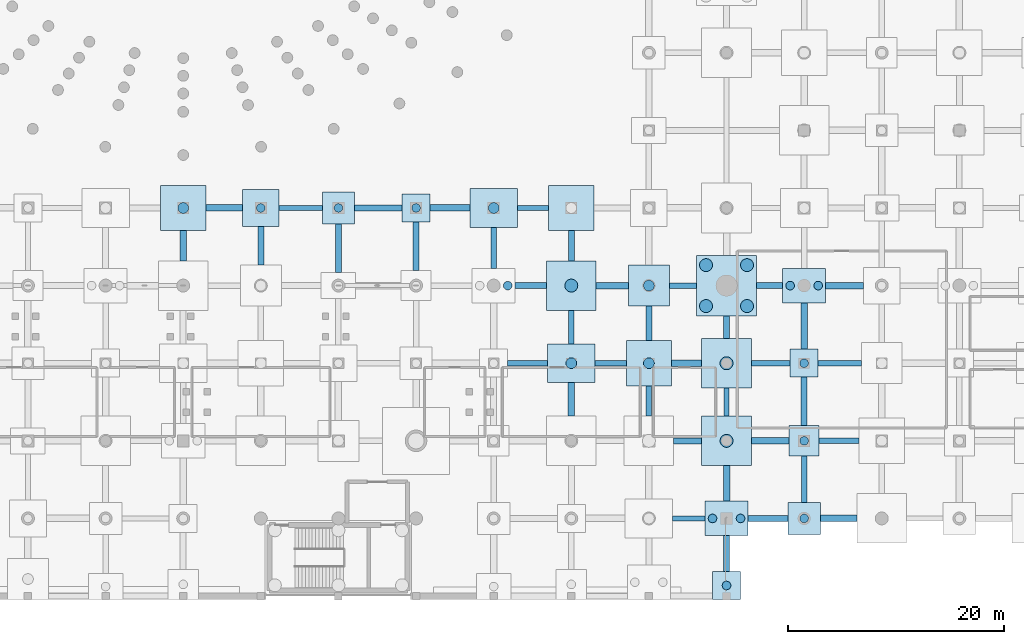
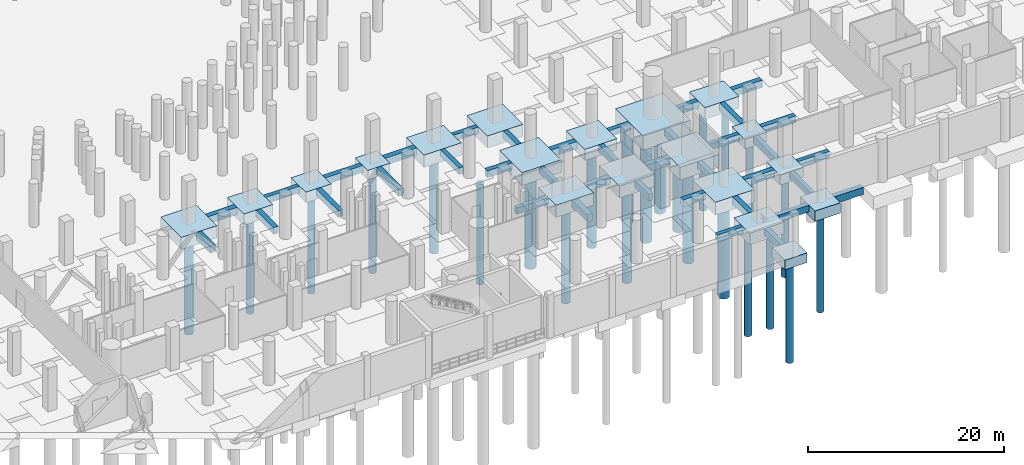
# One storey, part 5 of 37: 57 footings, 24 piles.
"""IFC4 building model written with IfcOpenShell, lengths in metres."""

from ifc_helpers import new_model, si_unit, direction, frame, origin, origin_2d, place, context, subcontext, project, spatial, rectangle, circle, extrude, material, material_profile, profile_set, type_object, element, save


model = new_model("IFC4")

# Units and contexts
model_context = context("Model", 3, precision=1e-05, world=origin(), true_north=direction((0.0, 1.0)))
body_context = subcontext(model_context, "Body", "Model", "MODEL_VIEW")
ifc_project = project(units=[si_unit("LENGTHUNIT", "METRE"), si_unit("AREAUNIT", "SQUARE_METRE"), si_unit("VOLUMEUNIT", "CUBIC_METRE"), si_unit("PLANEANGLEUNIT", "RADIAN"), si_unit("MASSUNIT", "GRAM", prefix="KILO")], contexts=[model_context])

# Site, building, storey
site_placement = place(None, origin())
site = spatial("IfcSite", under=ifc_project, at=site_placement, CompositionType="ELEMENT")
building_placement = place(site_placement, origin())
building = spatial("IfcBuilding", under=site, at=building_placement, Name="Qandorah Velis Arena", CompositionType="ELEMENT")
storey_placement = place(building_placement, frame((0.0, 0.0, -5.39990234375)))
storey = spatial("IfcBuildingStorey", under=building, at=storey_placement, Name="B1", CompositionType="ELEMENT", Elevation=-5.39990234375)

# Footings
ifc_material = material(Name="Concrete C40/50", Category="concrete")
footing_type_1 = type_object("IfcFootingType", Name="STR-CAP-PC10", PredefinedType="PILE_CAP", material=ifc_material)
for number, where, z_axis, x_axis, name in (
    (1, (86.39990234375, 36.0, -1.2001953125), (0.0, 0.0, 1.0), (1.0, 0.0, 0.0), "Pile cap CAP-B1-177"),
    (2, (115.199951171875, 0.97998046875, -1.2001953125), (0.0, 0.0, 1.0), (1.0, 0.0, 0.0), "Pile cap CAP-B1-227"),
    (3, (122.39990234375, 21.60009765625, -1.2001953125), (0.0, 0.0, 1.0), (1.0, 0.0, 0.0), "Pile cap CAP-B1-247"),
):
    element("IfcFooting", number, at=place(storey_placement, frame(where, z_axis=z_axis, x_axis=x_axis)), inside=storey, type_object=footing_type_1, Name=name, PredefinedType="PILE_CAP", context=body_context, shape_type="SweptSolid", body=[
        extrude(rectangle(XDim=2.60009765625, YDim=2.60009765625, at=origin_2d()), origin(), (0.0, 0.0, 1.0), 1.199951171875),
    ])
footing_type_2 = type_object("IfcFootingType", Name="STR-CAP-PC14", PredefinedType="PILE_CAP", material=ifc_material)
for number, where, z_axis, x_axis, name in (
    (4, (115.199951171875, 7.199951171875, -1.4501953125), (0.0, 0.0, 1.0), (1.0, 0.0, 0.0), "Pile cap CAP-B1-228"),
    (5, (122.39990234375, 28.800048828125, -1.4501953125), (0.0, 0.0, 1.0), (1.0, 0.0, 0.0), "Pile cap CAP-B1-248"),
):
    element("IfcFooting", number, at=place(storey_placement, frame(where, z_axis=z_axis, x_axis=x_axis)), inside=storey, type_object=footing_type_2, Name=name, PredefinedType="PILE_CAP", context=body_context, shape_type="SweptSolid", body=[
        extrude(rectangle(XDim=4.0, YDim=3.199951171875, at=origin_2d()), origin(), (0.0, 0.0, 1.0), 1.449951171875),
    ])
footing_type_3 = type_object("IfcFootingType", Name="STR-CAP-PC15", PredefinedType="PILE_CAP", material=ifc_material)
for number, where, z_axis, x_axis, name in (
    (6, (93.60009765625, 36.0, -1.55029296875), (0.0, 0.0, 1.0), (1.0, 0.0, 0.0), "Pile cap CAP-B1-189"),
    (7, (100.800048828125, 21.60009765625, -1.55029296875), (0.0, 0.0, 1.0), (1.0, 0.0, 0.0), "Pile cap CAP-B1-199"),
):
    element("IfcFooting", number, at=place(storey_placement, frame(where, z_axis=z_axis, x_axis=x_axis)), inside=storey, type_object=footing_type_3, Name=name, PredefinedType="PILE_CAP", context=body_context, shape_type="SweptSolid", body=[
        extrude(rectangle(XDim=4.39990234375, YDim=3.60009765625, at=origin_2d()), origin(), (0.0, 0.0, 1.0), 1.550048828125),
    ])
footing_type_4 = type_object("IfcFootingType", Name="STR-CAP-PC2", PredefinedType="PILE_CAP", material=ifc_material)
footing_1_placement = place(storey_placement, frame((115.199951171875, 28.800048828125, -1.80029296875), z_axis=(0.0, 0.0, 1.0), x_axis=(1.0, 0.0, 0.0)))
element("IfcFooting", 8, at=footing_1_placement, inside=storey, type_object=footing_type_4, Name="Pile cap CAP-B1-231", PredefinedType="PILE_CAP", context=body_context, shape_type="SweptSolid", body=[
    extrude(rectangle(XDim=5.60009765625, YDim=5.60009765625, at=origin_2d()), origin(), (0.0, 0.0, 1.0), 1.800048828125),
])
footing_type_5 = type_object("IfcFootingType", Name="STR-CAP-PC3", PredefinedType="PILE_CAP", material=ifc_material)
for number, where, z_axis, x_axis, name in (
    (9, (100.800048828125, 28.800048828125, -1.60009765625), (0.0, 0.0, 1.0), (1.0, 0.0, 0.0), "Pile cap CAP-B1-200"),
    (10, (115.199951171875, 14.39990234375, -1.60009765625), (0.0, 0.0, 1.0), (1.0, 0.0, 0.0), "Pile cap CAP-B1-229"),
    (11, (115.199951171875, 21.60009765625, -1.60009765625), (0.0, 0.0, 1.0), (1.0, 0.0, 0.0), "Pile cap CAP-B1-230"),
):
    element("IfcFooting", number, at=place(storey_placement, frame(where, z_axis=z_axis, x_axis=x_axis)), inside=storey, type_object=footing_type_5, Name=name, PredefinedType="PILE_CAP", context=body_context, shape_type="SweptSolid", body=[
        extrude(rectangle(XDim=4.60009765625, YDim=4.60009765625, at=origin_2d()), origin(), (0.0, 0.0, 1.0), 1.60009765625),
    ])
footing_type_6 = type_object("IfcFootingType", Name="STR-CAP-PC4", PredefinedType="PILE_CAP", material=ifc_material)
for number, where, z_axis, x_axis, name in (
    (12, (64.800048828125, 36.0, -1.5), (0.0, 0.0, 1.0), (1.0, 0.0, 0.0), "Pile cap CAP-B1-141"),
    (13, (100.800048828125, 36.0, -1.5), (0.0, 0.0, 1.0), (1.0, 0.0, 0.0), "Pile cap CAP-B1-201"),
    (14, (108.0, 21.60009765625, -1.5), (0.0, 0.0, 1.0), (1.0, 0.0, 0.0), "Pile cap CAP-B1-211"),
):
    element("IfcFooting", number, at=place(storey_placement, frame(where, z_axis=z_axis, x_axis=x_axis)), inside=storey, type_object=footing_type_6, Name=name, PredefinedType="PILE_CAP", context=body_context, shape_type="SweptSolid", body=[
        extrude(rectangle(XDim=4.199951171875, YDim=4.199951171875, at=origin_2d()), origin(), (0.0, 0.0, 1.0), 1.5),
    ])
footing_type_7 = type_object("IfcFootingType", Name="STR-CAP-PC5", PredefinedType="PILE_CAP", material=ifc_material)
footing_2_placement = place(storey_placement, frame((108.0, 28.800048828125, -1.400146484375), z_axis=(0.0, 0.0, 1.0), x_axis=(1.0, 0.0, 0.0)))
element("IfcFooting", 15, at=footing_2_placement, inside=storey, type_object=footing_type_7, Name="Pile cap CAP-B1-212", PredefinedType="PILE_CAP", context=body_context, shape_type="SweptSolid", body=[
    extrude(rectangle(XDim=3.800048828125, YDim=3.800048828125, at=origin_2d()), origin(), (0.0, 0.0, 1.0), 1.39990234375),
])
footing_type_8 = type_object("IfcFootingType", Name="STR-CAP-PC6", PredefinedType="PILE_CAP", material=ifc_material)
footing_3_placement = place(storey_placement, frame((72.0, 36.0, -1.400146484375), z_axis=(0.0, 0.0, 1.0), x_axis=(1.0, 0.0, 0.0)))
element("IfcFooting", 16, at=footing_3_placement, inside=storey, type_object=footing_type_8, Name="Pile cap CAP-B1-153", PredefinedType="PILE_CAP", context=body_context, shape_type="SweptSolid", body=[
    extrude(rectangle(XDim=3.39990234375, YDim=3.39990234375, at=origin_2d()), origin(), (0.0, 0.0, 1.0), 1.39990234375),
])
footing_type_9 = type_object("IfcFootingType", Name="STR-CAP-PC8", PredefinedType="PILE_CAP", material=ifc_material)
for number, where, z_axis, x_axis, name in (
    (17, (79.199951171875, 36.0, -1.30029296875), (0.0, 0.0, 1.0), (1.0, 0.0, 0.0), "Pile cap CAP-B1-165"),
    (18, (122.39990234375, 7.199951171875, -1.30029296875), (0.0, 0.0, 1.0), (1.0, 0.0, 0.0), "Pile cap CAP-B1-245"),
):
    element("IfcFooting", number, at=place(storey_placement, frame(where, z_axis=z_axis, x_axis=x_axis)), inside=storey, type_object=footing_type_9, Name=name, PredefinedType="PILE_CAP", context=body_context, shape_type="SweptSolid", body=[
        extrude(rectangle(XDim=3.0, YDim=3.0, at=origin_2d()), origin(), (0.0, 0.0, 1.0), 1.300048828125),
    ])
footing_type_10 = type_object("IfcFootingType", Name="STR-CAP-PC9", PredefinedType="PILE_CAP", material=ifc_material)
footing_4_placement = place(storey_placement, frame((122.39990234375, 14.39990234375, -1.25), z_axis=(0.0, 0.0, 1.0), x_axis=(1.0, 0.0, 0.0)))
element("IfcFooting", 19, at=footing_4_placement, inside=storey, type_object=footing_type_10, Name="Pile cap CAP-B1-246", PredefinedType="PILE_CAP", context=body_context, shape_type="SweptSolid", body=[
    extrude(rectangle(XDim=2.800048828125, YDim=2.800048828125, at=origin_2d()), origin(), (0.0, 0.0, 1.0), 1.25),
])
ifc_material_profile_1 = material_profile(ifc_material, rectangle(XDim=0.60009765625, YDim=0.89990234375, at=origin_2d()), Name="GB1 600x900")
ifc_profile_set_1 = profile_set([ifc_material_profile_1], Name="Concrete C40/50")
footing_type_11 = type_object("IfcFootingType", Name="STR-GB-FB1", PredefinedType="FOOTING_BEAM", material=ifc_profile_set_1)
footing_5_placement = place(storey_placement, frame((64.800048828125, 31.10009765625, -0.4501953125), z_axis=(0.0, 1.0, 0.0), x_axis=(-1.0, 0.0, 0.0)))
element("IfcFooting", 20, at=footing_5_placement, inside=storey, type_object=footing_type_11, Name="Ground tie beam GB-099", PredefinedType="FOOTING_BEAM", context=body_context, shape_type="SweptSolid", body=[
    extrude(rectangle(XDim=0.60009765625, YDim=0.89990234375, at=origin_2d()), origin(), (0.0, 0.0, 1.0), 2.7998046875),
])
footing_6_placement = place(storey_placement, frame((100.800048828125, 16.699951171875, -0.4501953125), z_axis=(0.0, 1.0, 0.0), x_axis=(-1.0, 0.0, 0.0)))
element("IfcFooting", 21, at=footing_6_placement, inside=storey, type_object=footing_type_11, Name="Ground tie beam GB-135", PredefinedType="FOOTING_BEAM", context=body_context, shape_type="SweptSolid", body=[
    extrude(rectangle(XDim=0.60009765625, YDim=0.89990234375, at=origin_2d()), origin(), (0.0, 0.0, 1.0), 3.10009765625),
])
footing_7_placement = place(storey_placement, frame((115.199951171875, 8.800048828125, -0.4501953125), z_axis=(0.0, 1.0, 0.0), x_axis=(-1.0, 0.0, 0.0)))
element("IfcFooting", 22, at=footing_7_placement, inside=storey, type_object=footing_type_11, Name="Ground tie beam GB-162", PredefinedType="FOOTING_BEAM", context=body_context, shape_type="SweptSolid", body=[
    extrude(rectangle(XDim=0.60009765625, YDim=0.89990234375, at=origin_2d()), origin(), (0.0, 0.0, 1.0), 3.300048828125),
])
footing_8_placement = place(storey_placement, frame((122.39990234375, 22.89990234375, -0.4501953125), z_axis=(0.0, 1.0, 0.0), x_axis=(-1.0, 0.0, 0.0)))
element("IfcFooting", 23, at=footing_8_placement, inside=storey, type_object=footing_type_11, Name="Ground tie beam GB-180", PredefinedType="FOOTING_BEAM", context=body_context, shape_type="SweptSolid", body=[
    extrude(rectangle(XDim=0.60009765625, YDim=0.89990234375, at=origin_2d()), origin(), (0.0, 0.0, 1.0), 4.300048828125),
])
footing_9_placement = place(storey_placement, frame((123.89990234375, 7.199951171875, -0.4501953125), z_axis=(1.0, 0.0, 0.0), x_axis=(0.0, 1.0, 0.0)))
element("IfcFooting", 24, at=footing_9_placement, inside=storey, type_object=footing_type_11, Name="Ground tie beam GB-288", PredefinedType="FOOTING_BEAM", context=body_context, shape_type="SweptSolid", body=[
    extrude(rectangle(XDim=0.60009765625, YDim=0.89990234375, at=origin_2d()), origin(), (0.0, 0.0, 1.0), 3.400146484375),
])
footing_10_placement = place(storey_placement, frame((117.5, 14.39990234375, -0.4501953125), z_axis=(1.0, 0.0, 0.0), x_axis=(0.0, 1.0, 0.0)))
element("IfcFooting", 25, at=footing_10_placement, inside=storey, type_object=footing_type_11, Name="Ground tie beam GB-309", PredefinedType="FOOTING_BEAM", context=body_context, shape_type="SweptSolid", body=[
    extrude(rectangle(XDim=0.60009765625, YDim=0.89990234375, at=origin_2d()), origin(), (0.0, 0.0, 1.0), 3.5),
])
footing_11_placement = place(storey_placement, frame((110.10009765625, 21.60009765625, -0.4501953125), z_axis=(1.0, 0.0, 0.0), x_axis=(0.0, 1.0, 0.0)))
element("IfcFooting", 26, at=footing_11_placement, inside=storey, type_object=footing_type_11, Name="Ground tie beam GB-330", PredefinedType="FOOTING_BEAM", context=body_context, shape_type="SweptSolid", body=[
    extrude(rectangle(XDim=0.60009765625, YDim=0.89990234375, at=origin_2d()), origin(), (0.0, 0.0, 1.0), 2.7998046875),
])
footing_12_placement = place(storey_placement, frame((103.10009765625, 28.800048828125, -0.4501953125), z_axis=(1.0, 0.0, 0.0), x_axis=(0.0, 1.0, 0.0)))
element("IfcFooting", 27, at=footing_12_placement, inside=storey, type_object=footing_type_11, Name="Ground tie beam GB-351", PredefinedType="FOOTING_BEAM", context=body_context, shape_type="SweptSolid", body=[
    extrude(rectangle(XDim=0.60009765625, YDim=0.89990234375, at=origin_2d()), origin(), (0.0, 0.0, 1.0), 3.0),
])
footing_13_placement = place(storey_placement, frame((124.39990234375, 28.800048828125, -0.4501953125), z_axis=(1.0, 0.0, 0.0), x_axis=(0.0, 1.0, 0.0)))
element("IfcFooting", 28, at=footing_13_placement, inside=storey, type_object=footing_type_11, Name="Ground tie beam GB-354", PredefinedType="FOOTING_BEAM", context=body_context, shape_type="SweptSolid", body=[
    extrude(rectangle(XDim=0.60009765625, YDim=0.89990234375, at=origin_2d()), origin(), (0.0, 0.0, 1.0), 3.5),
])
footing_14_placement = place(storey_placement, frame((66.89990234375, 36.0, -0.4501953125), z_axis=(1.0, 0.0, 0.0), x_axis=(0.0, 1.0, 0.0)))
element("IfcFooting", 29, at=footing_14_placement, inside=storey, type_object=footing_type_11, Name="Ground tie beam GB-366", PredefinedType="FOOTING_BEAM", context=body_context, shape_type="SweptSolid", body=[
    extrude(rectangle(XDim=0.60009765625, YDim=0.89990234375, at=origin_2d()), origin(), (0.0, 0.0, 1.0), 3.400146484375),
])
footing_15_placement = place(storey_placement, frame((87.699951171875, 36.0, -0.4501953125), z_axis=(1.0, 0.0, 0.0), x_axis=(0.0, 1.0, 0.0)))
element("IfcFooting", 30, at=footing_15_placement, inside=storey, type_object=footing_type_11, Name="Ground tie beam GB-369", PredefinedType="FOOTING_BEAM", context=body_context, shape_type="SweptSolid", body=[
    extrude(rectangle(XDim=0.60009765625, YDim=0.89990234375, at=origin_2d()), origin(), (0.0, 0.0, 1.0), 3.699951171875),
])
ifc_material_profile_2 = material_profile(ifc_material, rectangle(XDim=0.5, YDim=0.800048828125, at=origin_2d()), Name="GB2 500x800")
ifc_profile_set_2 = profile_set([ifc_material_profile_2], Name="Concrete C40/50")
footing_type_12 = type_object("IfcFootingType", Name="STR-GB-FB2", PredefinedType="FOOTING_BEAM", material=ifc_profile_set_2)
footing_16_placement = place(storey_placement, frame((93.60009765625, 30.39990234375, -0.400146484375), z_axis=(0.0, 1.0, 0.0), x_axis=(-1.0, 0.0, 0.0)))
element("IfcFooting", 31, at=footing_16_placement, inside=storey, type_object=footing_type_12, Name="Ground tie beam GB-127", PredefinedType="FOOTING_BEAM", context=body_context, shape_type="SweptSolid", body=[
    extrude(rectangle(XDim=0.5, YDim=0.800048828125, at=origin_2d()), origin(), (0.0, 0.0, 1.0), 3.800048828125),
])
footing_17_placement = place(storey_placement, frame((100.800048828125, 23.39990234375, -0.400146484375), z_axis=(0.0, 1.0, 0.0), x_axis=(-1.0, 0.0, 0.0)))
element("IfcFooting", 32, at=footing_17_placement, inside=storey, type_object=footing_type_12, Name="Ground tie beam GB-136", PredefinedType="FOOTING_BEAM", context=body_context, shape_type="SweptSolid", body=[
    extrude(rectangle(XDim=0.5, YDim=0.800048828125, at=origin_2d()), origin(), (0.0, 0.0, 1.0), 3.10009765625),
])
footing_18_placement = place(storey_placement, frame((108.0, 16.699951171875, -0.400146484375), z_axis=(0.0, 1.0, 0.0), x_axis=(-1.0, 0.0, 0.0)))
element("IfcFooting", 33, at=footing_18_placement, inside=storey, type_object=footing_type_12, Name="Ground tie beam GB-145", PredefinedType="FOOTING_BEAM", context=body_context, shape_type="SweptSolid", body=[
    extrude(rectangle(XDim=0.5, YDim=0.800048828125, at=origin_2d()), origin(), (0.0, 0.0, 1.0), 2.800048828125),
])
footing_19_placement = place(storey_placement, frame((115.199951171875, 16.699951171875, -0.400146484375), z_axis=(0.0, 1.0, 0.0), x_axis=(-1.0, 0.0, 0.0)))
element("IfcFooting", 34, at=footing_19_placement, inside=storey, type_object=footing_type_12, Name="Ground tie beam GB-163", PredefinedType="FOOTING_BEAM", context=body_context, shape_type="SweptSolid", body=[
    extrude(rectangle(XDim=0.5, YDim=0.800048828125, at=origin_2d()), origin(), (0.0, 0.0, 1.0), 2.60009765625),
])
footing_20_placement = place(storey_placement, frame((122.39990234375, 8.699951171875, -0.400146484375), z_axis=(0.0, 1.0, 0.0), x_axis=(-1.0, 0.0, 0.0)))
element("IfcFooting", 35, at=footing_20_placement, inside=storey, type_object=footing_type_12, Name="Ground tie beam GB-178", PredefinedType="FOOTING_BEAM", context=body_context, shape_type="SweptSolid", body=[
    extrude(rectangle(XDim=0.5, YDim=0.800048828125, at=origin_2d()), origin(), (0.0, 0.0, 1.0), 4.300048828125),
])
footing_21_placement = place(storey_placement, frame((110.199951171875, 7.199951171875, -0.400146484375), z_axis=(1.0, 0.0, 0.0), x_axis=(0.0, 1.0, 0.0)))
element("IfcFooting", 36, at=footing_21_placement, inside=storey, type_object=footing_type_12, Name="Ground tie beam GB-286", PredefinedType="FOOTING_BEAM", context=body_context, shape_type="SweptSolid", body=[
    extrude(rectangle(XDim=0.5, YDim=0.800048828125, at=origin_2d()), origin(), (0.0, 0.0, 1.0), 3.0),
])
footing_22_placement = place(storey_placement, frame((123.800048828125, 14.39990234375, -0.400146484375), z_axis=(1.0, 0.0, 0.0), x_axis=(0.0, 1.0, 0.0)))
element("IfcFooting", 37, at=footing_22_placement, inside=storey, type_object=footing_type_12, Name="Ground tie beam GB-310", PredefinedType="FOOTING_BEAM", context=body_context, shape_type="SweptSolid", body=[
    extrude(rectangle(XDim=0.5, YDim=0.800048828125, at=origin_2d()), origin(), (0.0, 0.0, 1.0), 3.699951171875),
])
footing_23_placement = place(storey_placement, frame((94.89990234375, 21.60009765625, -0.400146484375), z_axis=(1.0, 0.0, 0.0), x_axis=(0.0, 1.0, 0.0)))
element("IfcFooting", 38, at=footing_23_placement, inside=storey, type_object=footing_type_12, Name="Ground tie beam GB-328", PredefinedType="FOOTING_BEAM", context=body_context, shape_type="SweptSolid", body=[
    extrude(rectangle(XDim=0.5, YDim=0.800048828125, at=origin_2d()), origin(), (0.0, 0.0, 1.0), 3.7001953125),
])
footing_24_placement = place(storey_placement, frame((117.5, 21.60009765625, -0.400146484375), z_axis=(1.0, 0.0, 0.0), x_axis=(0.0, 1.0, 0.0)))
element("IfcFooting", 39, at=footing_24_placement, inside=storey, type_object=footing_type_12, Name="Ground tie beam GB-331", PredefinedType="FOOTING_BEAM", context=body_context, shape_type="SweptSolid", body=[
    extrude(rectangle(XDim=0.5, YDim=0.800048828125, at=origin_2d()), origin(), (0.0, 0.0, 1.0), 3.60009765625),
])
footing_25_placement = place(storey_placement, frame((109.89990234375, 28.800048828125, -0.400146484375), z_axis=(1.0, 0.0, 0.0), x_axis=(0.0, 1.0, 0.0)))
element("IfcFooting", 40, at=footing_25_placement, inside=storey, type_object=footing_type_12, Name="Ground tie beam GB-352", PredefinedType="FOOTING_BEAM", context=body_context, shape_type="SweptSolid", body=[
    extrude(rectangle(XDim=0.5, YDim=0.800048828125, at=origin_2d()), origin(), (0.0, 0.0, 1.0), 2.5),
])
footing_26_placement = place(storey_placement, frame((73.699951171875, 36.0, -0.400146484375), z_axis=(1.0, 0.0, 0.0), x_axis=(0.0, 1.0, 0.0)))
element("IfcFooting", 41, at=footing_26_placement, inside=storey, type_object=footing_type_12, Name="Ground tie beam GB-367", PredefinedType="FOOTING_BEAM", context=body_context, shape_type="SweptSolid", body=[
    extrude(rectangle(XDim=0.5, YDim=0.800048828125, at=origin_2d()), origin(), (0.0, 0.0, 1.0), 4.0),
])
footing_27_placement = place(storey_placement, frame((95.800048828125, 36.0, -0.400146484375), z_axis=(1.0, 0.0, 0.0), x_axis=(0.0, 1.0, 0.0)))
element("IfcFooting", 42, at=footing_27_placement, inside=storey, type_object=footing_type_12, Name="Ground tie beam GB-370", PredefinedType="FOOTING_BEAM", context=body_context, shape_type="SweptSolid", body=[
    extrude(rectangle(XDim=0.5, YDim=0.800048828125, at=origin_2d()), origin(), (0.0, 0.0, 1.0), 2.89990234375),
])
ifc_material_profile_3 = material_profile(ifc_material, rectangle(XDim=0.550048828125, YDim=0.85009765625, at=origin_2d()), Name="GB3 550x850")
ifc_profile_set_3 = profile_set([ifc_material_profile_3], Name="Concrete C40/50")
footing_type_13 = type_object("IfcFootingType", Name="STR-GB-FB3", PredefinedType="FOOTING_BEAM", material=ifc_profile_set_3)
footing_28_placement = place(storey_placement, frame((72.0, 30.699951171875, -0.425048828125), z_axis=(0.0, 1.0, 0.0), x_axis=(-1.0, 0.0, 0.0)))
element("IfcFooting", 43, at=footing_28_placement, inside=storey, type_object=footing_type_13, Name="Ground tie beam GB-107", PredefinedType="FOOTING_BEAM", context=body_context, shape_type="SweptSolid", body=[
    extrude(rectangle(XDim=0.550048828125, YDim=0.85009765625, at=origin_2d()), origin(), (0.0, 0.0, 1.0), 3.60009765625),
])
for number, where, z_axis, x_axis, name in (
    (44, (79.199951171875, 30.0, -0.425048828125), (0.0, 1.0, 0.0), (-1.0, 0.0, 0.0), "Ground tie beam GB-113"),
    (45, (86.39990234375, 30.199951171875, -0.425048828125), (0.0, 1.0, 0.0), (-1.0, 0.0, 0.0), "Ground tie beam GB-119"),
):
    element("IfcFooting", number, at=place(storey_placement, frame(where, z_axis=z_axis, x_axis=x_axis)), inside=storey, type_object=footing_type_13, Name=name, PredefinedType="FOOTING_BEAM", context=body_context, shape_type="SweptSolid", body=[
        extrude(rectangle(XDim=0.550048828125, YDim=0.85009765625, at=origin_2d()), origin(), (0.0, 0.0, 1.0), 4.5),
    ])
footing_29_placement = place(storey_placement, frame((100.800048828125, 31.10009765625, -0.425048828125), z_axis=(0.0, 1.0, 0.0), x_axis=(-1.0, 0.0, 0.0)))
element("IfcFooting", 46, at=footing_29_placement, inside=storey, type_object=footing_type_13, Name="Ground tie beam GB-137", PredefinedType="FOOTING_BEAM", context=body_context, shape_type="SweptSolid", body=[
    extrude(rectangle(XDim=0.550048828125, YDim=0.85009765625, at=origin_2d()), origin(), (0.0, 0.0, 1.0), 2.7998046875),
])
footing_30_placement = place(storey_placement, frame((108.0, 23.699951171875, -0.425048828125), z_axis=(0.0, 1.0, 0.0), x_axis=(-1.0, 0.0, 0.0)))
element("IfcFooting", 47, at=footing_30_placement, inside=storey, type_object=footing_type_13, Name="Ground tie beam GB-146", PredefinedType="FOOTING_BEAM", context=body_context, shape_type="SweptSolid", body=[
    extrude(rectangle(XDim=0.550048828125, YDim=0.85009765625, at=origin_2d()), origin(), (0.0, 0.0, 1.0), 3.199951171875),
])
footing_31_placement = place(storey_placement, frame((115.199951171875, 2.280029296875, -0.425048828125), z_axis=(0.0, 1.0, 0.0), x_axis=(-1.0, 0.0, 0.0)))
element("IfcFooting", 48, at=footing_31_placement, inside=storey, type_object=footing_type_13, Name="Ground tie beam GB-161", PredefinedType="FOOTING_BEAM", context=body_context, shape_type="SweptSolid", body=[
    extrude(rectangle(XDim=0.550048828125, YDim=0.85009765625, at=origin_2d()), origin(), (0.0, 0.0, 1.0), 3.320068359375),
])
footing_32_placement = place(storey_placement, frame((115.199951171875, 23.89990234375, -0.425048828125), z_axis=(0.0, 1.0, 0.0), x_axis=(-1.0, 0.0, 0.0)))
element("IfcFooting", 49, at=footing_32_placement, inside=storey, type_object=footing_type_13, Name="Ground tie beam GB-164", PredefinedType="FOOTING_BEAM", context=body_context, shape_type="SweptSolid", body=[
    extrude(rectangle(XDim=0.550048828125, YDim=0.85009765625, at=origin_2d()), origin(), (0.0, 0.0, 1.0), 2.10009765625),
])
footing_33_placement = place(storey_placement, frame((122.39990234375, 15.800048828125, -0.425048828125), z_axis=(0.0, 1.0, 0.0), x_axis=(-1.0, 0.0, 0.0)))
element("IfcFooting", 50, at=footing_33_placement, inside=storey, type_object=footing_type_13, Name="Ground tie beam GB-179", PredefinedType="FOOTING_BEAM", context=body_context, shape_type="SweptSolid", body=[
    extrude(rectangle(XDim=0.550048828125, YDim=0.85009765625, at=origin_2d()), origin(), (0.0, 0.0, 1.0), 4.5),
])
footing_34_placement = place(storey_placement, frame((117.199951171875, 7.199951171875, -0.425048828125), z_axis=(1.0, 0.0, 0.0), x_axis=(0.0, 1.0, 0.0)))
element("IfcFooting", 51, at=footing_34_placement, inside=storey, type_object=footing_type_13, Name="Ground tie beam GB-287", PredefinedType="FOOTING_BEAM", context=body_context, shape_type="SweptSolid", body=[
    extrude(rectangle(XDim=0.550048828125, YDim=0.85009765625, at=origin_2d()), origin(), (0.0, 0.0, 1.0), 3.699951171875),
])
footing_35_placement = place(storey_placement, frame((110.300048828125, 14.39990234375, -0.425048828125), z_axis=(1.0, 0.0, 0.0), x_axis=(0.0, 1.0, 0.0)))
element("IfcFooting", 52, at=footing_35_placement, inside=storey, type_object=footing_type_13, Name="Ground tie beam GB-308", PredefinedType="FOOTING_BEAM", context=body_context, shape_type="SweptSolid", body=[
    extrude(rectangle(XDim=0.550048828125, YDim=0.85009765625, at=origin_2d()), origin(), (0.0, 0.0, 1.0), 2.599853515625),
])
footing_36_placement = place(storey_placement, frame((103.0, 21.60009765625, -0.425048828125), z_axis=(1.0, 0.0, 0.0), x_axis=(0.0, 1.0, 0.0)))
element("IfcFooting", 53, at=footing_36_placement, inside=storey, type_object=footing_type_13, Name="Ground tie beam GB-329", PredefinedType="FOOTING_BEAM", context=body_context, shape_type="SweptSolid", body=[
    extrude(rectangle(XDim=0.550048828125, YDim=0.85009765625, at=origin_2d()), origin(), (0.0, 0.0, 1.0), 2.89990234375),
])
footing_37_placement = place(storey_placement, frame((123.699951171875, 21.60009765625, -0.425048828125), z_axis=(1.0, 0.0, 0.0), x_axis=(0.0, 1.0, 0.0)))
element("IfcFooting", 54, at=footing_37_placement, inside=storey, type_object=footing_type_13, Name="Ground tie beam GB-332", PredefinedType="FOOTING_BEAM", context=body_context, shape_type="SweptSolid", body=[
    extrude(rectangle(XDim=0.550048828125, YDim=0.85009765625, at=origin_2d()), origin(), (0.0, 0.0, 1.0), 4.0),
])
footing_38_placement = place(storey_placement, frame((95.60009765625, 28.800048828125, -0.425048828125), z_axis=(1.0, 0.0, 0.0), x_axis=(0.0, 1.0, 0.0)))
element("IfcFooting", 55, at=footing_38_placement, inside=storey, type_object=footing_type_13, Name="Ground tie beam GB-350", PredefinedType="FOOTING_BEAM", context=body_context, shape_type="SweptSolid", body=[
    extrude(rectangle(XDim=0.550048828125, YDim=0.85009765625, at=origin_2d()), origin(), (0.0, 0.0, 1.0), 2.89990234375),
])
footing_39_placement = place(storey_placement, frame((118.0, 28.800048828125, -0.425048828125), z_axis=(1.0, 0.0, 0.0), x_axis=(0.0, 1.0, 0.0)))
element("IfcFooting", 56, at=footing_39_placement, inside=storey, type_object=footing_type_13, Name="Ground tie beam GB-353", PredefinedType="FOOTING_BEAM", context=body_context, shape_type="SweptSolid", body=[
    extrude(rectangle(XDim=0.550048828125, YDim=0.85009765625, at=origin_2d()), origin(), (0.0, 0.0, 1.0), 2.39990234375),
])
footing_40_placement = place(storey_placement, frame((80.699951171875, 36.0, -0.425048828125), z_axis=(1.0, 0.0, 0.0), x_axis=(0.0, 1.0, 0.0)))
element("IfcFooting", 57, at=footing_40_placement, inside=storey, type_object=footing_type_13, Name="Ground tie beam GB-368", PredefinedType="FOOTING_BEAM", context=body_context, shape_type="SweptSolid", body=[
    extrude(rectangle(XDim=0.550048828125, YDim=0.85009765625, at=origin_2d()), origin(), (0.0, 0.0, 1.0), 4.400146484375),
])

# Piles
ifc_material_profile_4 = material_profile(ifc_material, circle(Radius=0.5, at=origin_2d()), Name="BORED PILE D1000")
ifc_profile_set_4 = profile_set([ifc_material_profile_4], Name="Concrete C40/50")
pile_type_1 = type_object("IfcPileType", Name="STR-PILE-BP1000", PredefinedType="BORED", material=ifc_profile_set_4)
pile_1_placement = place(storey_placement, frame((64.800048828125, 36.0, -1.400146484375), z_axis=(0.0, 0.0, -1.0), x_axis=(1.0, 0.0, 0.0)))
element("IfcPile", 58, at=pile_1_placement, inside=storey, type_object=pile_type_1, Name="Bored pile PILE-CAP-B1-141-11", PredefinedType="BORED", context=body_context, shape_type="SweptSolid", body=[
    extrude(circle(Radius=0.5, at=origin_2d()), origin(), (0.0, 0.0, 1.0), 12.39990234375),
])
for number, where, z_axis, x_axis, name in (
    (59, (93.60009765625, 36.0, -1.4501953125), (0.0, 0.0, -1.0), (1.0, 0.0, 0.0), "Bored pile PILE-CAP-B1-189-11"),
    (60, (100.800048828125, 21.60009765625, -1.4501953125), (0.0, 0.0, -1.0), (1.0, 0.0, 0.0), "Bored pile PILE-CAP-B1-199-11"),
):
    element("IfcPile", number, at=place(storey_placement, frame(where, z_axis=z_axis, x_axis=x_axis)), inside=storey, type_object=pile_type_1, Name=name, PredefinedType="BORED", context=body_context, shape_type="SweptSolid", body=[
        extrude(circle(Radius=0.5, at=origin_2d()), origin(), (0.0, 0.0, 1.0), 12.35009765625),
    ])
pile_2_placement = place(storey_placement, frame((108.0, 21.60009765625, -1.400146484375), z_axis=(0.0, 0.0, -1.0), x_axis=(1.0, 0.0, 0.0)))
element("IfcPile", 61, at=pile_2_placement, inside=storey, type_object=pile_type_1, Name="Bored pile PILE-CAP-B1-211-11", PredefinedType="BORED", context=body_context, shape_type="SweptSolid", body=[
    extrude(circle(Radius=0.5, at=origin_2d()), origin(), (0.0, 0.0, 1.0), 12.39990234375),
])
pile_3_placement = place(storey_placement, frame((108.0, 28.800048828125, -1.300048828125), z_axis=(0.0, 0.0, -1.0), x_axis=(1.0, 0.0, 0.0)))
element("IfcPile", 62, at=pile_3_placement, inside=storey, type_object=pile_type_1, Name="Bored pile PILE-CAP-B1-212-11", PredefinedType="BORED", context=body_context, shape_type="SweptSolid", body=[
    extrude(circle(Radius=0.5, at=origin_2d()), origin(), (0.0, 0.0, 1.0), 12.5),
])
ifc_material_profile_5 = material_profile(ifc_material, circle(Radius=0.60009765625, at=origin_2d()), Name="BORED PILE D1200")
ifc_profile_set_5 = profile_set([ifc_material_profile_5], Name="Concrete C40/50")
pile_type_2 = type_object("IfcPileType", Name="STR-PILE-BP1200", PredefinedType="BORED", material=ifc_profile_set_5)
for number, where, z_axis, x_axis, name in (
    (63, (100.800048828125, 28.800048828125, -1.5), (0.0, 0.0, -1.0), (1.0, 0.0, 0.0), "Bored pile PILE-CAP-B1-200-11"),
    (64, (115.199951171875, 14.39990234375, -1.5), (0.0, 0.0, -1.0), (1.0, 0.0, 0.0), "Bored pile PILE-CAP-B1-229-11"),
    (65, (115.199951171875, 21.60009765625, -1.5), (0.0, 0.0, -1.0), (1.0, 0.0, 0.0), "Bored pile PILE-CAP-B1-230-11"),
):
    element("IfcPile", number, at=place(storey_placement, frame(where, z_axis=z_axis, x_axis=x_axis)), inside=storey, type_object=pile_type_2, Name=name, PredefinedType="BORED", context=body_context, shape_type="SweptSolid", body=[
        extrude(circle(Radius=0.60009765625, at=origin_2d()), origin(), (0.0, 0.0, 1.0), 12.300048828125),
    ])
for number, where, z_axis, x_axis, name in (
    (66, (113.300048828125, 26.89990234375, -1.7001953125), (0.0, 0.0, -1.0), (1.0, 0.0, 0.0), "Bored pile PILE-CAP-B1-231-11"),
    (67, (113.300048828125, 30.699951171875, -1.7001953125), (0.0, 0.0, -1.0), (1.0, 0.0, 0.0), "Bored pile PILE-CAP-B1-231-12"),
    (68, (117.10009765625, 26.89990234375, -1.7001953125), (0.0, 0.0, -1.0), (1.0, 0.0, 0.0), "Bored pile PILE-CAP-B1-231-21"),
    (69, (117.10009765625, 30.699951171875, -1.7001953125), (0.0, 0.0, -1.0), (1.0, 0.0, 0.0), "Bored pile PILE-CAP-B1-231-22"),
):
    element("IfcPile", number, at=place(storey_placement, frame(where, z_axis=z_axis, x_axis=x_axis)), inside=storey, type_object=pile_type_2, Name=name, PredefinedType="BORED", context=body_context, shape_type="SweptSolid", body=[
        extrude(circle(Radius=0.60009765625, at=origin_2d()), origin(), (0.0, 0.0, 1.0), 12.10009765625),
    ])
ifc_material_profile_6 = material_profile(ifc_material, circle(Radius=0.39990234375, at=origin_2d()), Name="BORED PILE D800")
ifc_profile_set_6 = profile_set([ifc_material_profile_6], Name="Concrete C40/50")
pile_type_3 = type_object("IfcPileType", Name="STR-PILE-BP800", PredefinedType="BORED", material=ifc_profile_set_6)
pile_4_placement = place(storey_placement, frame((72.0, 36.0, -1.300048828125), z_axis=(0.0, 0.0, -1.0), x_axis=(1.0, 0.0, 0.0)))
element("IfcPile", 70, at=pile_4_placement, inside=storey, type_object=pile_type_3, Name="Bored pile PILE-CAP-B1-153-11", PredefinedType="BORED", context=body_context, shape_type="SweptSolid", body=[
    extrude(circle(Radius=0.39990234375, at=origin_2d()), origin(), (0.0, 0.0, 1.0), 12.5),
])
pile_5_placement = place(storey_placement, frame((79.199951171875, 36.0, -1.2001953125), z_axis=(0.0, 0.0, -1.0), x_axis=(1.0, 0.0, 0.0)))
element("IfcPile", 71, at=pile_5_placement, inside=storey, type_object=pile_type_3, Name="Bored pile PILE-CAP-B1-165-11", PredefinedType="BORED", context=body_context, shape_type="SweptSolid", body=[
    extrude(circle(Radius=0.39990234375, at=origin_2d()), origin(), (0.0, 0.0, 1.0), 12.60009765625),
])
pile_6_placement = place(storey_placement, frame((86.39990234375, 36.0, -1.10009765625), z_axis=(0.0, 0.0, -1.0), x_axis=(1.0, 0.0, 0.0)))
element("IfcPile", 72, at=pile_6_placement, inside=storey, type_object=pile_type_3, Name="Bored pile PILE-CAP-B1-177-11", PredefinedType="BORED", context=body_context, shape_type="SweptSolid", body=[
    extrude(circle(Radius=0.39990234375, at=origin_2d()), origin(), (0.0, 0.0, 1.0), 12.699951171875),
])
pile_7_placement = place(storey_placement, frame((94.89990234375, 28.800048828125, -1.35009765625), z_axis=(0.0, 0.0, -1.0), x_axis=(1.0, 0.0, 0.0)))
element("IfcPile", 73, at=pile_7_placement, inside=storey, type_object=pile_type_3, Name="Bored pile PILE-CAP-B1-188-21", PredefinedType="BORED", context=body_context, shape_type="SweptSolid", body=[
    extrude(circle(Radius=0.39990234375, at=origin_2d()), origin(), (0.0, 0.0, 1.0), 12.449951171875),
])
pile_8_placement = place(storey_placement, frame((115.199951171875, 0.97998046875, -1.10009765625), z_axis=(0.0, 0.0, -1.0), x_axis=(1.0, 0.0, 0.0)))
element("IfcPile", 74, at=pile_8_placement, inside=storey, type_object=pile_type_3, Name="Bored pile PILE-CAP-B1-227-11", PredefinedType="BORED", context=body_context, shape_type="SweptSolid", body=[
    extrude(circle(Radius=0.39990234375, at=origin_2d()), origin(), (0.0, 0.0, 1.0), 12.699951171875),
])
for number, where, z_axis, x_axis, name in (
    (75, (113.89990234375, 7.199951171875, -1.35009765625), (0.0, 0.0, -1.0), (1.0, 0.0, 0.0), "Bored pile PILE-CAP-B1-228-11"),
    (76, (116.5, 7.199951171875, -1.35009765625), (0.0, 0.0, -1.0), (1.0, 0.0, 0.0), "Bored pile PILE-CAP-B1-228-21"),
):
    element("IfcPile", number, at=place(storey_placement, frame(where, z_axis=z_axis, x_axis=x_axis)), inside=storey, type_object=pile_type_3, Name=name, PredefinedType="BORED", context=body_context, shape_type="SweptSolid", body=[
        extrude(circle(Radius=0.39990234375, at=origin_2d()), origin(), (0.0, 0.0, 1.0), 12.449951171875),
    ])
pile_9_placement = place(storey_placement, frame((122.39990234375, 7.199951171875, -1.2001953125), z_axis=(0.0, 0.0, -1.0), x_axis=(1.0, 0.0, 0.0)))
element("IfcPile", 77, at=pile_9_placement, inside=storey, type_object=pile_type_3, Name="Bored pile PILE-CAP-B1-245-11", PredefinedType="BORED", context=body_context, shape_type="SweptSolid", body=[
    extrude(circle(Radius=0.39990234375, at=origin_2d()), origin(), (0.0, 0.0, 1.0), 12.60009765625),
])
pile_10_placement = place(storey_placement, frame((122.39990234375, 14.39990234375, -1.150146484375), z_axis=(0.0, 0.0, -1.0), x_axis=(1.0, 0.0, 0.0)))
element("IfcPile", 78, at=pile_10_placement, inside=storey, type_object=pile_type_3, Name="Bored pile PILE-CAP-B1-246-11", PredefinedType="BORED", context=body_context, shape_type="SweptSolid", body=[
    extrude(circle(Radius=0.39990234375, at=origin_2d()), origin(), (0.0, 0.0, 1.0), 12.64990234375),
])
pile_11_placement = place(storey_placement, frame((122.39990234375, 21.60009765625, -1.10009765625), z_axis=(0.0, 0.0, -1.0), x_axis=(1.0, 0.0, 0.0)))
element("IfcPile", 79, at=pile_11_placement, inside=storey, type_object=pile_type_3, Name="Bored pile PILE-CAP-B1-247-11", PredefinedType="BORED", context=body_context, shape_type="SweptSolid", body=[
    extrude(circle(Radius=0.39990234375, at=origin_2d()), origin(), (0.0, 0.0, 1.0), 12.699951171875),
])
for number, where, z_axis, x_axis, name in (
    (80, (121.10009765625, 28.800048828125, -1.35009765625), (0.0, 0.0, -1.0), (1.0, 0.0, 0.0), "Bored pile PILE-CAP-B1-248-11"),
    (81, (123.699951171875, 28.800048828125, -1.35009765625), (0.0, 0.0, -1.0), (1.0, 0.0, 0.0), "Bored pile PILE-CAP-B1-248-21"),
):
    element("IfcPile", number, at=place(storey_placement, frame(where, z_axis=z_axis, x_axis=x_axis)), inside=storey, type_object=pile_type_3, Name=name, PredefinedType="BORED", context=body_context, shape_type="SweptSolid", body=[
        extrude(circle(Radius=0.39990234375, at=origin_2d()), origin(), (0.0, 0.0, 1.0), 12.449951171875),
    ])

save(model, "model.ifc")
